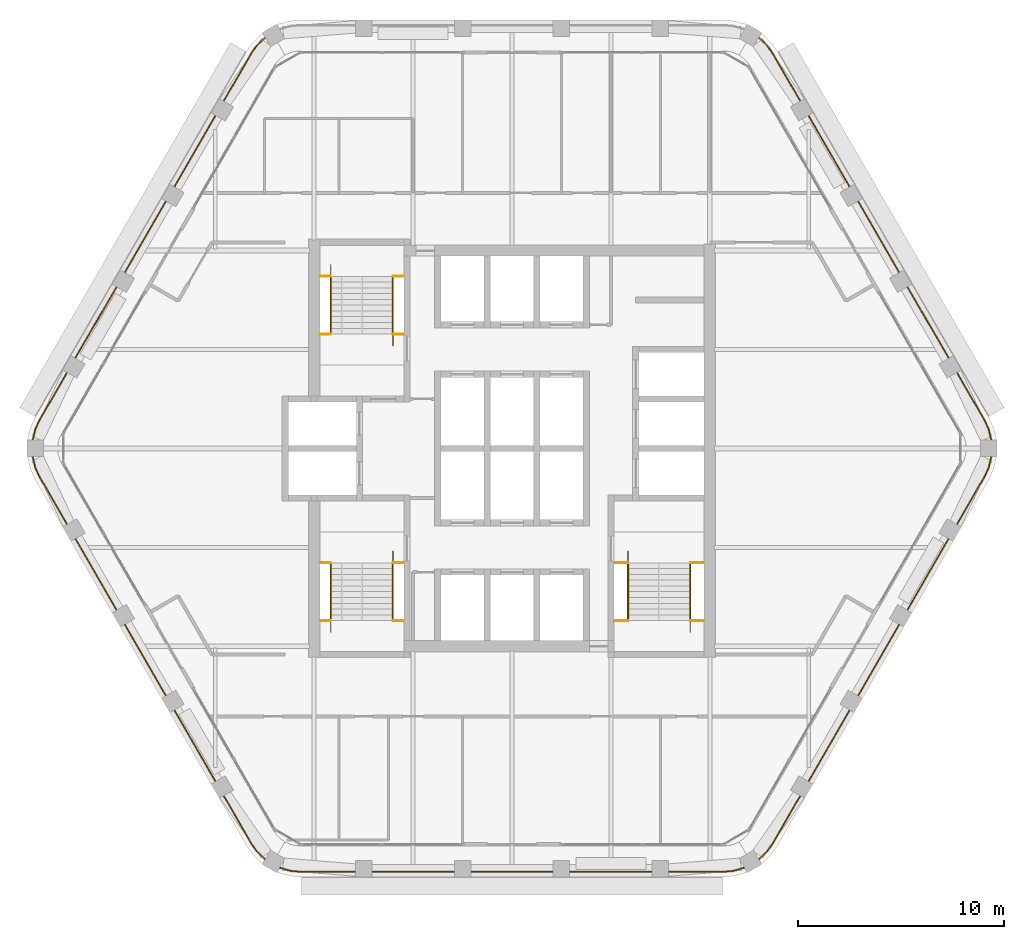
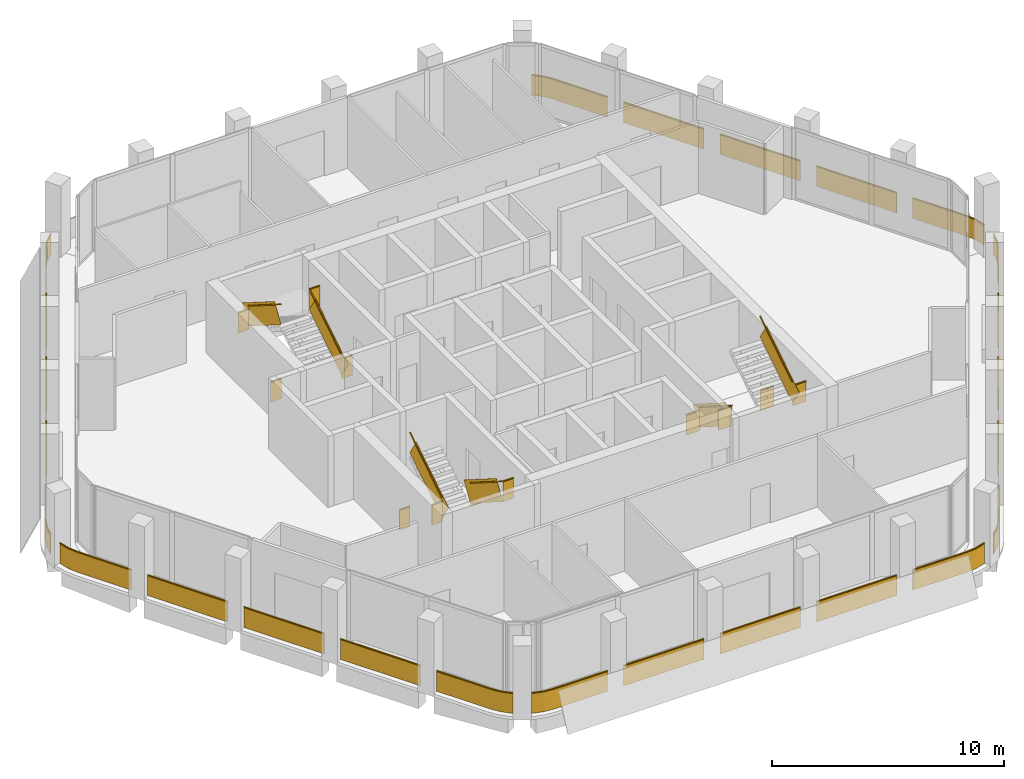
# One storey, part 12 of 13: 11 railings.
"""IFC4 building model written with IfcOpenShell, lengths in metres."""

import ifcopenshell
import ifcopenshell.guid

model = None  # the IFC model being written
_history = None  # IfcOwnerHistory: only IFC2X3 demands one
_inside = {}  # id of a spatial element -> (the spatial element, [elements in it])
_under = {}  # id of a project, library or spatial element -> (it, [spatial elements below it])
_declared = {}  # id of a project -> (the project, [libraries it declares])
_typed = {}  # id of a type object -> (the type object, [elements of that type])
_made_of = {}  # id of a material, layer set ... -> (it, [elements and type objects made of it])


def new_model(schema):
    """Start an empty IFC model of exactly this schema.

    Asked for "IFC4X3", IfcOpenShell would pick the latest addendum, in which some entities
    have other attributes; the version numbers below select the first issue.
    IFC2X3 requires an IfcOwnerHistory on every rooted entity: one is made here for all.
    """
    global model, _history
    if schema == "IFC4X3":
        model = ifcopenshell.file(schema_version=(4, 3, 0, 0))
    else:
        model = ifcopenshell.file(schema=schema)
    _inside.clear()
    _under.clear()
    _declared.clear()
    _typed.clear()
    _made_of.clear()
    _history = None
    if model.schema == "IFC2X3":
        org = make("IfcOrganization", Name="unknown")
        user = make(
            "IfcPersonAndOrganization",
            ThePerson=make("IfcPerson", FamilyName="unknown"),
            TheOrganization=org,
        )
        app = make(
            "IfcApplication",
            ApplicationDeveloper=org,
            Version="unknown",
            ApplicationFullName="unknown",
            ApplicationIdentifier="unknown",
        )
        _history = make(
            "IfcOwnerHistory",
            OwningUser=user,
            OwningApplication=app,
            ChangeAction="ADDED",
            CreationDate=0,
        )
    return model


def make(cls, **values):
    """One entity of the class cls with the attributes given. An attribute that is None is left unset."""
    return model.create_entity(
        cls, **{name: value for name, value in values.items() if value is not None}
    )


def rooted(cls, **values):
    """An entity with a GlobalId (a new one), such as an element, a storey or a relation."""
    return make(cls, GlobalId=ifcopenshell.guid.new(), OwnerHistory=_history, **values)


def si_unit(unit_type, name, prefix=None):
    """IfcSIUnit, for example si_unit("LENGTHUNIT", "METRE", prefix="MILLI")."""
    return make("IfcSIUnit", UnitType=unit_type, Prefix=prefix, Name=name)


def assignment(units):
    """IfcUnitAssignment: the units of a project."""
    return None if units is None else make("IfcUnitAssignment", Units=units)


def point(xyz):
    """IfcCartesianPoint."""
    return None if xyz is None else make("IfcCartesianPoint", Coordinates=xyz)


def direction(xyz):
    """IfcDirection."""
    return None if xyz is None else make("IfcDirection", DirectionRatios=xyz)


def frame(location, z_axis=None, x_axis=None):
    """IfcAxis2Placement3D, a coordinate frame: its origin and axes. An axis left out is left unset."""
    return make(
        "IfcAxis2Placement3D",
        Location=point(location),
        Axis=direction(z_axis),
        RefDirection=direction(x_axis),
    )


def frame_2d(location, x_axis=None):
    """IfcAxis2Placement2D, a coordinate frame in the plane: its origin and x axis."""
    return make(
        "IfcAxis2Placement2D", Location=point(location), RefDirection=direction(x_axis)
    )


def origin():
    """The frame at (0, 0, 0) with its axes left unset."""
    return frame((0.0, 0.0, 0.0))


def origin_2d():
    """The frame at (0, 0) in the plane with its x axis left unset."""
    return frame_2d((0.0, 0.0))


def place(relative_to, where):
    """IfcLocalPlacement: puts the frame where relative to a parent placement (None: the world)."""
    return make(
        "IfcLocalPlacement", PlacementRelTo=relative_to, RelativePlacement=where
    )


def context(
    kind, dimensions, precision=None, world=None, true_north=None, identifier=None
):
    """IfcGeometricRepresentationContext, for example the 3D "Model" context."""
    return make(
        "IfcGeometricRepresentationContext",
        ContextIdentifier=identifier,
        ContextType=kind,
        CoordinateSpaceDimension=dimensions,
        Precision=precision,
        WorldCoordinateSystem=world,
        TrueNorth=true_north,
    )


def subcontext(parent, identifier, kind, view, scale=None):
    """IfcGeometricRepresentationSubContext, for example "Body" below "Model"."""
    return make(
        "IfcGeometricRepresentationSubContext",
        ContextIdentifier=identifier,
        ContextType=kind,
        ParentContext=parent,
        TargetScale=scale,
        TargetView=view,
    )


def project(units=None, contexts=None):
    """IfcProject with its units and contexts."""
    return rooted(
        "IfcProject",
        Name="project",
        RepresentationContexts=contexts,
        UnitsInContext=assignment(units),
    )


def spatial(cls, under=None, at=None, **own):
    """A site, building, storey or space (cls), placed at a placement, below another one or the project."""
    s = rooted(cls, ObjectPlacement=at, **own)
    if under is not None:
        _under.setdefault(under.id(), (under, []))[1].append(s)
    return s


def profile(cls, at=None, kind="AREA", **sizes):
    """A parametric profile (cls). Its sizes go by their IFC names, for example OverallWidth=200.0."""
    return make(cls, ProfileType=kind, Position=at, **sizes)


def rectangle(**sizes):
    """IfcRectangleProfileDef."""
    return profile("IfcRectangleProfileDef", **sizes)


def extrude(swept, where, along, depth):
    """IfcExtrudedAreaSolid: the profile swept, set in the frame where, extruded along a direction by depth."""
    return make(
        "IfcExtrudedAreaSolid",
        SweptArea=swept,
        Position=where,
        ExtrudedDirection=direction(along),
        Depth=depth,
    )


def shape(context_of_items, identifier, shape_type, items):
    """IfcShapeRepresentation: the items that make up one representation, for example the "Body"."""
    return make(
        "IfcShapeRepresentation",
        ContextOfItems=context_of_items,
        RepresentationIdentifier=identifier,
        RepresentationType=shape_type,
        Items=items,
    )


def material(Name=None, Category=None):
    """IfcMaterial."""
    return make("IfcMaterial", Name=Name, Category=Category)


def made_of(thing, what):
    """Note that an element or type object is made of a material, layer set ...; save() writes the relation."""
    if what is not None:
        _made_of.setdefault(what.id(), (what, []))[1].append(thing)
    return thing


def type_object(cls, material=None, **own):
    """A type object (cls), such as IfcWallType, which elements share."""
    return made_of(rooted(cls, **own), material)


def element(
    cls,
    number,
    at=None,
    inside=None,
    cuts=None,
    type_object=None,
    material=None,
    context=None,
    identifier="Body",
    shape_type=None,
    held_by="IfcProductDefinitionShape",
    body=None,
    shapes=None,
    **own,
):
    """One element of the class cls, such as IfcWall. Its Tag is "e" and its number.

    at: its placement. inside: the storey or other place that contains it. cuts: it is an
    opening in that element (IfcRelVoidsElement). A single representation is given by context,
    identifier, shape_type and body (its items); several are given by shapes. held_by: the class
    of the entity that holds the representations. save() writes the other relations.
    """
    e = rooted(cls, Tag="e%d" % number, ObjectPlacement=at, **own)
    if body is not None:
        shapes = [shape(context, identifier, shape_type, body)]
    if shapes is not None:
        e.Representation = make(held_by, Representations=shapes)
    if inside is not None:
        _inside.setdefault(inside.id(), (inside, []))[1].append(e)
    if cuts is not None:
        rooted(
            "IfcRelVoidsElement", RelatingBuildingElement=cuts, RelatedOpeningElement=e
        )
    if type_object is not None:
        _typed.setdefault(type_object.id(), (type_object, []))[1].append(e)
    return made_of(e, material)


def aggregate(whole, parts):
    """IfcRelAggregates: a whole, such as a stair, and the parts it consists of."""
    return rooted("IfcRelAggregates", RelatingObject=whole, RelatedObjects=parts)


def save(model, path):
    """Write the relations noted so far, then the file.

    IfcRelAggregates (storeys below a building ...), IfcRelContainedInSpatialStructure (elements
    in a storey), IfcRelDefinesByType, IfcRelAssociatesMaterial and IfcRelDeclares: one each for
    every whole, place, type object, material and project.
    """
    for whole, parts in _under.values():
        aggregate(whole, parts)
    for where, things in _inside.values():
        rooted(
            "IfcRelContainedInSpatialStructure",
            RelatedElements=things,
            RelatingStructure=where,
        )
    for kind, things in _typed.values():
        rooted("IfcRelDefinesByType", RelatedObjects=things, RelatingType=kind)
    for what, things in _made_of.values():
        rooted("IfcRelAssociatesMaterial", RelatedObjects=things, RelatingMaterial=what)
    for by, libraries in _declared.values():
        rooted("IfcRelDeclares", RelatingContext=by, RelatedDefinitions=libraries)
    model.write(path)


model = new_model("IFC4")

# Units and contexts
model_context = context("Model", 3, precision=1e-05, world=origin(), true_north=direction((0.0, 1.0)))
body_context = subcontext(model_context, "Body", "Model", "MODEL_VIEW")
ifc_project = project(units=[si_unit("LENGTHUNIT", "METRE"), si_unit("AREAUNIT", "SQUARE_METRE"), si_unit("VOLUMEUNIT", "CUBIC_METRE"), si_unit("PLANEANGLEUNIT", "RADIAN"), si_unit("MASSUNIT", "GRAM", prefix="KILO")], contexts=[model_context])

# Site, building, storey
site_placement = place(None, origin())
site = spatial("IfcSite", under=ifc_project, at=site_placement, CompositionType="ELEMENT")
building_placement = place(site_placement, origin())
building = spatial("IfcBuilding", under=site, at=building_placement, Name="Kolab Exchange Tower", CompositionType="ELEMENT")
storey_placement = place(building_placement, frame((0.0, 0.0, 226.699951171875)))
storey = spatial("IfcBuildingStorey", under=building, at=storey_placement, Name="L49", CompositionType="ELEMENT", Elevation=226.699951171875)

# Railings
ifc_material_1 = material(Name="Stainless steel 316", Category="steel")
railing_type_1 = type_object("IfcRailingType", Name="GUARD 1100", PredefinedType="GUARDRAIL", material=ifc_material_1)
railing_1_placement = place(storey_placement, frame((-9.324951171875, 5.550048828125, 0.0)))
element("IfcRailing", 1, at=railing_1_placement, inside=storey, type_object=railing_type_1, Name="Guard ST1", PredefinedType="GUARDRAIL", context=body_context, shape_type="SweptSolid", body=[
    extrude(rectangle(XDim=0.05, YDim=0.05, at=origin_2d()), frame((0.0, 0.0, 1.0751953125), z_axis=(1.0, 0.0, 0.0), x_axis=(0.0, 1.0, 0.0)), (0.0, 0.0, 1.0), 0.52734375),
    extrude(rectangle(XDim=0.012, YDim=1.05009765625, at=frame_2d((0.0, 0.525146484375))), frame((0.0, 0.0, 0.0), z_axis=(1.0, 0.0, 0.0), x_axis=(0.0, 1.0, 0.0)), (0.0, 0.0, 1.0), 0.52734375),
    extrude(rectangle(XDim=0.05, YDim=0.05, at=origin_2d()), frame((3.54736328125, 0.0, 1.0751953125), z_axis=(1.0, 0.0, 0.0), x_axis=(0.0, 1.0, 0.0)), (0.0, 0.0, 1.0), 0.527587890625),
    extrude(rectangle(XDim=0.012, YDim=1.05009765625, at=frame_2d((0.0, 0.525146484375))), frame((3.54736328125, 0.0, 0.0), z_axis=(1.0, 0.0, 0.0), x_axis=(0.0, 1.0, 0.0)), (0.0, 0.0, 1.0), 0.527587890625),
    extrude(rectangle(XDim=0.05, YDim=0.05, at=origin_2d()), frame((0.0, 2.800048828125, 3.025146484375), z_axis=(1.0, 0.0, 0.0), x_axis=(0.0, 1.0, 0.0)), (0.0, 0.0, 1.0), 0.52734375),
    extrude(rectangle(XDim=0.012, YDim=1.05009765625, at=frame_2d((0.0, 0.525146484375))), frame((0.0, 2.800048828125, 1.949951171875), z_axis=(1.0, 0.0, 0.0), x_axis=(0.0, 1.0, 0.0)), (0.0, 0.0, 1.0), 0.52734375),
    extrude(rectangle(XDim=0.05, YDim=0.05, at=origin_2d()), frame((3.54736328125, 2.800048828125, 3.025146484375), z_axis=(1.0, 0.0, 0.0), x_axis=(0.0, 1.0, 0.0)), (0.0, 0.0, 1.0), 0.527587890625),
    extrude(rectangle(XDim=0.012, YDim=1.05009765625, at=frame_2d((0.0, 0.525146484375))), frame((3.54736328125, 2.800048828125, 1.949951171875), z_axis=(1.0, 0.0, 0.0), x_axis=(0.0, 1.0, 0.0)), (0.0, 0.0, 1.0), 0.527587890625),
])
railing_2_placement = place(storey_placement, frame((-5.777587890625, 5.550048828125, 0.17724609375)))
element("IfcRailing", 2, at=railing_2_placement, inside=storey, type_object=railing_type_1, Name="Handrail guard ST1", PredefinedType="GUARDRAIL", context=body_context, shape_type="SweptSolid", body=[
    extrude(rectangle(XDim=0.05, YDim=0.05, at=origin_2d()), frame((0.0, 0.0, 1.0751953125), z_axis=(0.0, 0.844908973607, 0.534910110503), x_axis=(-1.0, 0.0, 0.0)), (0.0, 0.0, 1.0), 3.31396484375),
    extrude(rectangle(XDim=0.012, YDim=1.05009765625, at=frame_2d((0.0, 0.525146484375))), frame((0.0, 0.0, 0.0), z_axis=(0.0, 0.844908973607, 0.534910110503), x_axis=(-1.0, 0.0, 0.0)), (0.0, 0.0, 1.0), 3.31396484375),
    extrude(rectangle(XDim=0.05, YDim=0.05, at=origin_2d()), frame((-3.02001953125, 2.800048828125, 3.025390625), z_axis=(0.0, -0.844908973607, 0.534910110503), x_axis=(1.0, 0.0, 0.0)), (0.0, 0.0, 1.0), 3.31396484375),
    extrude(rectangle(XDim=0.012, YDim=1.05009765625, at=frame_2d((0.0, 0.525146484375))), frame((-3.02001953125, 2.800048828125, 1.9501953125), z_axis=(0.0, -0.844908973607, 0.534910110503), x_axis=(1.0, 0.0, 0.0)), (0.0, 0.0, 1.0), 3.31396484375),
])
railing_3_placement = place(storey_placement, frame((-9.324951171875, -5.550048828125, 0.0)))
element("IfcRailing", 3, at=railing_3_placement, inside=storey, type_object=railing_type_1, Name="Guard ST3", PredefinedType="GUARDRAIL", context=body_context, shape_type="SweptSolid", body=[
    extrude(rectangle(XDim=0.05, YDim=0.05, at=origin_2d()), frame((0.0, 0.0, 1.0751953125), z_axis=(1.0, 0.0, 0.0), x_axis=(0.0, 1.0, 0.0)), (0.0, 0.0, 1.0), 0.52734375),
    extrude(rectangle(XDim=0.012, YDim=1.05009765625, at=frame_2d((0.0, 0.525146484375))), frame((0.0, 0.0, 0.0), z_axis=(1.0, 0.0, 0.0), x_axis=(0.0, 1.0, 0.0)), (0.0, 0.0, 1.0), 0.52734375),
    extrude(rectangle(XDim=0.05, YDim=0.05, at=origin_2d()), frame((3.54736328125, 0.0, 1.0751953125), z_axis=(1.0, 0.0, 0.0), x_axis=(0.0, 1.0, 0.0)), (0.0, 0.0, 1.0), 0.527587890625),
    extrude(rectangle(XDim=0.012, YDim=1.05009765625, at=frame_2d((0.0, 0.525146484375))), frame((3.54736328125, 0.0, 0.0), z_axis=(1.0, 0.0, 0.0), x_axis=(0.0, 1.0, 0.0)), (0.0, 0.0, 1.0), 0.527587890625),
    extrude(rectangle(XDim=0.05, YDim=0.05, at=origin_2d()), frame((0.0, -2.800048828125, 3.025146484375), z_axis=(1.0, 0.0, 0.0), x_axis=(0.0, 1.0, 0.0)), (0.0, 0.0, 1.0), 0.52734375),
    extrude(rectangle(XDim=0.012, YDim=1.05009765625, at=frame_2d((0.0, 0.525146484375))), frame((0.0, -2.800048828125, 1.949951171875), z_axis=(1.0, 0.0, 0.0), x_axis=(0.0, 1.0, 0.0)), (0.0, 0.0, 1.0), 0.52734375),
    extrude(rectangle(XDim=0.05, YDim=0.05, at=origin_2d()), frame((3.54736328125, -2.800048828125, 3.025146484375), z_axis=(1.0, 0.0, 0.0), x_axis=(0.0, 1.0, 0.0)), (0.0, 0.0, 1.0), 0.527587890625),
    extrude(rectangle(XDim=0.012, YDim=1.05009765625, at=frame_2d((0.0, 0.525146484375))), frame((3.54736328125, -2.800048828125, 1.949951171875), z_axis=(1.0, 0.0, 0.0), x_axis=(0.0, 1.0, 0.0)), (0.0, 0.0, 1.0), 0.527587890625),
])
railing_4_placement = place(storey_placement, frame((-5.777587890625, -5.550048828125, 0.17724609375)))
element("IfcRailing", 4, at=railing_4_placement, inside=storey, type_object=railing_type_1, Name="Handrail guard ST3", PredefinedType="GUARDRAIL", context=body_context, shape_type="SweptSolid", body=[
    extrude(rectangle(XDim=0.05, YDim=0.05, at=origin_2d()), frame((0.0, 0.0, 1.0751953125), z_axis=(0.0, -0.844908973607, 0.534910110503), x_axis=(1.0, 0.0, 0.0)), (0.0, 0.0, 1.0), 3.31396484375),
    extrude(rectangle(XDim=0.012, YDim=1.05009765625, at=frame_2d((0.0, 0.525146484375))), frame((0.0, 0.0, 0.0), z_axis=(0.0, -0.844908973607, 0.534910110503), x_axis=(1.0, 0.0, 0.0)), (0.0, 0.0, 1.0), 3.31396484375),
    extrude(rectangle(XDim=0.05, YDim=0.05, at=origin_2d()), frame((-3.02001953125, -2.800048828125, 3.025390625), z_axis=(0.0, 0.844908973607, 0.534910110503), x_axis=(-1.0, 0.0, 0.0)), (0.0, 0.0, 1.0), 3.31396484375),
    extrude(rectangle(XDim=0.012, YDim=1.05009765625, at=frame_2d((0.0, 0.525146484375))), frame((-3.02001953125, -2.800048828125, 1.9501953125), z_axis=(0.0, 0.844908973607, 0.534910110503), x_axis=(-1.0, 0.0, 0.0)), (0.0, 0.0, 1.0), 3.31396484375),
])
railing_5_placement = place(storey_placement, frame((4.949951171875, -5.550048828125, 0.0)))
element("IfcRailing", 5, at=railing_5_placement, inside=storey, type_object=railing_type_1, Name="Guard ST2", PredefinedType="GUARDRAIL", context=body_context, shape_type="SweptSolid", body=[
    extrude(rectangle(XDim=0.05, YDim=0.05, at=origin_2d()), frame((0.0, 0.0, 1.0751953125), z_axis=(1.0, 0.0, 0.0), x_axis=(0.0, 1.0, 0.0)), (0.0, 0.0, 1.0), 0.677490234375),
    extrude(rectangle(XDim=0.012, YDim=1.05009765625, at=frame_2d((0.0, 0.525146484375))), frame((0.0, 0.0, 0.0), z_axis=(1.0, 0.0, 0.0), x_axis=(0.0, 1.0, 0.0)), (0.0, 0.0, 1.0), 0.677490234375),
    extrude(rectangle(XDim=0.05, YDim=0.05, at=origin_2d()), frame((3.697509765625, 0.0, 1.0751953125), z_axis=(1.0, 0.0, 0.0), x_axis=(0.0, 1.0, 0.0)), (0.0, 0.0, 1.0), 0.677490234375),
    extrude(rectangle(XDim=0.012, YDim=1.05009765625, at=frame_2d((0.0, 0.525146484375))), frame((3.697509765625, 0.0, 0.0), z_axis=(1.0, 0.0, 0.0), x_axis=(0.0, 1.0, 0.0)), (0.0, 0.0, 1.0), 0.677490234375),
    extrude(rectangle(XDim=0.05, YDim=0.05, at=origin_2d()), frame((0.0, -2.800048828125, 3.025146484375), z_axis=(1.0, 0.0, 0.0), x_axis=(0.0, 1.0, 0.0)), (0.0, 0.0, 1.0), 0.677490234375),
    extrude(rectangle(XDim=0.012, YDim=1.05009765625, at=frame_2d((0.0, 0.525146484375))), frame((0.0, -2.800048828125, 1.949951171875), z_axis=(1.0, 0.0, 0.0), x_axis=(0.0, 1.0, 0.0)), (0.0, 0.0, 1.0), 0.677490234375),
    extrude(rectangle(XDim=0.05, YDim=0.05, at=origin_2d()), frame((3.697509765625, -2.800048828125, 3.025146484375), z_axis=(1.0, 0.0, 0.0), x_axis=(0.0, 1.0, 0.0)), (0.0, 0.0, 1.0), 0.677490234375),
    extrude(rectangle(XDim=0.012, YDim=1.05009765625, at=frame_2d((0.0, 0.525146484375))), frame((3.697509765625, -2.800048828125, 1.949951171875), z_axis=(1.0, 0.0, 0.0), x_axis=(0.0, 1.0, 0.0)), (0.0, 0.0, 1.0), 0.677490234375),
])
railing_6_placement = place(storey_placement, frame((5.62744140625, -5.550048828125, 0.17724609375)))
element("IfcRailing", 6, at=railing_6_placement, inside=storey, type_object=railing_type_1, Name="Handrail guard ST2", PredefinedType="GUARDRAIL", context=body_context, shape_type="SweptSolid", body=[
    extrude(rectangle(XDim=0.05, YDim=0.05, at=origin_2d()), frame((0.0, 0.0, 1.0751953125), z_axis=(0.0, -0.844908973607, 0.534910110503), x_axis=(1.0, 0.0, 0.0)), (0.0, 0.0, 1.0), 3.31396484375),
    extrude(rectangle(XDim=0.012, YDim=1.05009765625, at=frame_2d((0.0, 0.525146484375))), frame((0.0, 0.0, 0.0), z_axis=(0.0, -0.844908973607, 0.534910110503), x_axis=(1.0, 0.0, 0.0)), (0.0, 0.0, 1.0), 3.31396484375),
    extrude(rectangle(XDim=0.05, YDim=0.05, at=origin_2d()), frame((3.02001953125, -2.800048828125, 3.025390625), z_axis=(0.0, 0.844908973607, 0.534910110503), x_axis=(-1.0, 0.0, 0.0)), (0.0, 0.0, 1.0), 3.31396484375),
    extrude(rectangle(XDim=0.012, YDim=1.05009765625, at=frame_2d((0.0, 0.525146484375))), frame((3.02001953125, -2.800048828125, 1.9501953125), z_axis=(0.0, 0.844908973607, 0.534910110503), x_axis=(-1.0, 0.0, 0.0)), (0.0, 0.0, 1.0), 3.31396484375),
])
ifc_material_2 = material(Name="Steel S235", Category="steel")
railing_type_2 = type_object("IfcRailingType", Name="GUARD 1100 GLASS BALUSTRADE AND STEEL TOP RAIL", PredefinedType="GUARDRAIL", material=ifc_material_2)
railing_7_placement = place(storey_placement, frame((23.2509765625, 0.3984375, 0.0)))
element("IfcRailing", 7, at=railing_7_placement, inside=storey, type_object=railing_type_2, Name="Guard", PredefinedType="GUARDRAIL", context=body_context, shape_type="SweptSolid", body=[
    extrude(rectangle(XDim=0.05, YDim=0.05, at=origin_2d()), frame((0.0, 0.0, 1.0751953125), z_axis=(-0.234597748196, 0.972092534968, 0.0), x_axis=(-0.972092534968, -0.234597748196, 0.0)), (0.0, 0.0, 1.0), 0.557861328125),
    extrude(rectangle(XDim=0.012, YDim=1.05009765625, at=frame_2d((0.0, 0.525146484375))), frame((0.0, 0.0, 0.0), z_axis=(-0.234597748196, 0.972092534968, 0.0), x_axis=(-0.972092534968, -0.234597748196, 0.0)), (0.0, 0.0, 1.0), 0.557861328125),
    extrude(rectangle(XDim=0.05, YDim=0.05, at=origin_2d()), frame((-0.130859375, 0.542236328125, 1.0751953125), z_axis=(-0.422801802984, 0.906222177721, 0.0), x_axis=(-0.906222177721, -0.422801802984, 0.0)), (0.0, 0.0, 1.0), 0.479248046875),
    extrude(rectangle(XDim=0.012, YDim=1.05009765625, at=frame_2d((0.0, 0.525146484375))), frame((-0.130859375, 0.542236328125, 0.0), z_axis=(-0.422801802984, 0.906222177721, 0.0), x_axis=(-0.906222177721, -0.422801802984, 0.0)), (0.0, 0.0, 1.0), 0.479248046875),
    extrude(rectangle(XDim=0.05, YDim=0.05, at=origin_2d()), frame((-0.33349609375, 0.9765625, 1.0751953125), z_axis=(-0.499997052475, 0.866027105532, 0.0), x_axis=(-0.866027105532, -0.499997052475, 0.0)), (0.0, 0.0, 1.0), 2.66796875),
    extrude(rectangle(XDim=0.012, YDim=1.05009765625, at=frame_2d((0.0, 0.525146484375))), frame((-0.33349609375, 0.9765625, 0.0), z_axis=(-0.499997052475, 0.866027105532, 0.0), x_axis=(-0.866027105532, -0.499997052475, 0.0)), (0.0, 0.0, 1.0), 2.66796875),
    extrude(rectangle(XDim=0.05, YDim=0.05, at=origin_2d()), frame((-2.0673828125, 3.97998046875, 1.0751953125), z_axis=(-0.49999894854, 0.866026010844, 0.0), x_axis=(-0.866026010844, -0.49999894854, 0.0)), (0.0, 0.0, 1.0), 4.0),
    extrude(rectangle(XDim=0.012, YDim=1.05009765625, at=frame_2d((0.0, 0.525146484375))), frame((-2.0673828125, 3.97998046875, 0.0), z_axis=(-0.49999894854, 0.866026010844, 0.0), x_axis=(-0.866026010844, -0.49999894854, 0.0)), (0.0, 0.0, 1.0), 4.0),
    extrude(rectangle(XDim=0.05, YDim=0.05, at=origin_2d()), frame((-4.467529296875, 8.13671875, 1.0751953125), z_axis=(-0.49999894854, 0.866026010844, 0.0), x_axis=(-0.866026010844, -0.49999894854, 0.0)), (0.0, 0.0, 1.0), 4.0),
    extrude(rectangle(XDim=0.012, YDim=1.05009765625, at=frame_2d((0.0, 0.525146484375))), frame((-4.467529296875, 8.13671875, 0.0), z_axis=(-0.49999894854, 0.866026010844, 0.0), x_axis=(-0.866026010844, -0.49999894854, 0.0)), (0.0, 0.0, 1.0), 4.0),
    extrude(rectangle(XDim=0.05, YDim=0.05, at=origin_2d()), frame((-6.867431640625, 12.293701171875, 1.0751953125), z_axis=(-0.49999894854, 0.866026010844, 0.0), x_axis=(-0.866026010844, -0.49999894854, 0.0)), (0.0, 0.0, 1.0), 4.0),
    extrude(rectangle(XDim=0.012, YDim=1.05009765625, at=frame_2d((0.0, 0.525146484375))), frame((-6.867431640625, 12.293701171875, 0.0), z_axis=(-0.49999894854, 0.866026010844, 0.0), x_axis=(-0.866026010844, -0.49999894854, 0.0)), (0.0, 0.0, 1.0), 4.0),
    extrude(rectangle(XDim=0.05, YDim=0.05, at=origin_2d()), frame((-9.267578125, 16.45068359375, 1.0751953125), z_axis=(-0.499997052475, 0.866027105532, 0.0), x_axis=(-0.866027105532, -0.499997052475, 0.0)), (0.0, 0.0, 1.0), 2.66796875),
    extrude(rectangle(XDim=0.012, YDim=1.05009765625, at=frame_2d((0.0, 0.525146484375))), frame((-9.267578125, 16.45068359375, 0.0), z_axis=(-0.499997052475, 0.866027105532, 0.0), x_axis=(-0.866027105532, -0.499997052475, 0.0)), (0.0, 0.0, 1.0), 2.66796875),
    extrude(rectangle(XDim=0.05, YDim=0.05, at=origin_2d()), frame((-10.6015625, 18.76123046875, 1.0751953125), z_axis=(-0.573599091554, 0.819136180478, 0.0), x_axis=(-0.819136180478, -0.573599091554, 0.0)), (0.0, 0.0, 1.0), 0.479248046875),
    extrude(rectangle(XDim=0.012, YDim=1.05009765625, at=frame_2d((0.0, 0.525146484375))), frame((-10.6015625, 18.76123046875, 0.0), z_axis=(-0.573599091554, 0.819136180478, 0.0), x_axis=(-0.819136180478, -0.573599091554, 0.0)), (0.0, 0.0, 1.0), 0.479248046875),
    extrude(rectangle(XDim=0.05, YDim=0.05, at=origin_2d()), frame((-10.87646484375, 19.15380859375, 1.0751953125), z_axis=(-0.724189990991, 0.689600505327, 0.0), x_axis=(-0.689600505327, -0.724189990991, 0.0)), (0.0, 0.0, 1.0), 0.5576171875),
    extrude(rectangle(XDim=0.012, YDim=1.05009765625, at=frame_2d((0.0, 0.525146484375))), frame((-10.87646484375, 19.15380859375, 0.0), z_axis=(-0.724189990991, 0.689600505327, 0.0), x_axis=(-0.689600505327, -0.724189990991, 0.0)), (0.0, 0.0, 1.0), 0.5576171875),
])
railing_8_placement = place(storey_placement, frame((11.970703125, -19.936767578125, 0.0)))
element("IfcRailing", 8, at=railing_8_placement, inside=storey, type_object=railing_type_2, Name="Guard", PredefinedType="GUARDRAIL", context=body_context, shape_type="SweptSolid", body=[
    extrude(rectangle(XDim=0.05, YDim=0.05, at=origin_2d()), frame((0.0, 0.0, 1.0751953125), z_axis=(0.724189990991, 0.689600505327, 0.0), x_axis=(-0.689600505327, 0.724189990991, 0.0)), (0.0, 0.0, 1.0), 0.5576171875),
    extrude(rectangle(XDim=0.012, YDim=1.05009765625, at=frame_2d((0.0, 0.525146484375))), frame((0.0, 0.0, 0.0), z_axis=(0.724189990991, 0.689600505327, 0.0), x_axis=(-0.689600505327, 0.724189990991, 0.0)), (0.0, 0.0, 1.0), 0.5576171875),
    extrude(rectangle(XDim=0.05, YDim=0.05, at=origin_2d()), frame((0.40380859375, 0.384521484375, 1.0751953125), z_axis=(0.573599091554, 0.819136180478, 0.0), x_axis=(-0.819136180478, 0.573599091554, 0.0)), (0.0, 0.0, 1.0), 0.479248046875),
    extrude(rectangle(XDim=0.012, YDim=1.05009765625, at=frame_2d((0.0, 0.525146484375))), frame((0.40380859375, 0.384521484375, 0.0), z_axis=(0.573599091554, 0.819136180478, 0.0), x_axis=(-0.819136180478, 0.573599091554, 0.0)), (0.0, 0.0, 1.0), 0.479248046875),
    extrude(rectangle(XDim=0.05, YDim=0.05, at=origin_2d()), frame((0.6787109375, 0.777099609375, 1.0751953125), z_axis=(0.499997052475, 0.866027105532, 0.0), x_axis=(-0.866027105532, 0.499997052475, 0.0)), (0.0, 0.0, 1.0), 2.66796875),
    extrude(rectangle(XDim=0.012, YDim=1.05009765625, at=frame_2d((0.0, 0.525146484375))), frame((0.6787109375, 0.777099609375, 0.0), z_axis=(0.499997052475, 0.866027105532, 0.0), x_axis=(-0.866027105532, 0.499997052475, 0.0)), (0.0, 0.0, 1.0), 2.66796875),
    extrude(rectangle(XDim=0.05, YDim=0.05, at=origin_2d()), frame((2.412841796875, 3.780517578125, 1.0751953125), z_axis=(0.49999894854, 0.866026010844, 0.0), x_axis=(-0.866026010844, 0.49999894854, 0.0)), (0.0, 0.0, 1.0), 4.0),
    extrude(rectangle(XDim=0.012, YDim=1.05009765625, at=frame_2d((0.0, 0.525146484375))), frame((2.412841796875, 3.780517578125, 0.0), z_axis=(0.49999894854, 0.866026010844, 0.0), x_axis=(-0.866026010844, 0.49999894854, 0.0)), (0.0, 0.0, 1.0), 4.0),
    extrude(rectangle(XDim=0.05, YDim=0.05, at=origin_2d()), frame((4.812744140625, 7.9375, 1.0751953125), z_axis=(0.49999894854, 0.866026010844, 0.0), x_axis=(-0.866026010844, 0.49999894854, 0.0)), (0.0, 0.0, 1.0), 4.0),
    extrude(rectangle(XDim=0.012, YDim=1.05009765625, at=frame_2d((0.0, 0.525146484375))), frame((4.812744140625, 7.9375, 0.0), z_axis=(0.49999894854, 0.866026010844, 0.0), x_axis=(-0.866026010844, 0.49999894854, 0.0)), (0.0, 0.0, 1.0), 4.0),
    extrude(rectangle(XDim=0.05, YDim=0.05, at=origin_2d()), frame((7.212890625, 12.09423828125, 1.0751953125), z_axis=(0.49999894854, 0.866026010844, 0.0), x_axis=(-0.866026010844, 0.49999894854, 0.0)), (0.0, 0.0, 1.0), 4.0),
    extrude(rectangle(XDim=0.012, YDim=1.05009765625, at=frame_2d((0.0, 0.525146484375))), frame((7.212890625, 12.09423828125, 0.0), z_axis=(0.49999894854, 0.866026010844, 0.0), x_axis=(-0.866026010844, 0.49999894854, 0.0)), (0.0, 0.0, 1.0), 4.0),
    extrude(rectangle(XDim=0.05, YDim=0.05, at=origin_2d()), frame((9.61279296875, 16.251220703125, 1.0751953125), z_axis=(0.499997052475, 0.866027105532, 0.0), x_axis=(-0.866027105532, 0.499997052475, 0.0)), (0.0, 0.0, 1.0), 2.66796875),
    extrude(rectangle(XDim=0.012, YDim=1.05009765625, at=frame_2d((0.0, 0.525146484375))), frame((9.61279296875, 16.251220703125, 0.0), z_axis=(0.499997052475, 0.866027105532, 0.0), x_axis=(-0.866027105532, 0.499997052475, 0.0)), (0.0, 0.0, 1.0), 2.66796875),
    extrude(rectangle(XDim=0.05, YDim=0.05, at=origin_2d()), frame((10.94677734375, 18.561767578125, 1.0751953125), z_axis=(0.422801802984, 0.906222177721, 0.0), x_axis=(-0.906222177721, 0.422801802984, 0.0)), (0.0, 0.0, 1.0), 0.479248046875),
    extrude(rectangle(XDim=0.012, YDim=1.05009765625, at=frame_2d((0.0, 0.525146484375))), frame((10.94677734375, 18.561767578125, 0.0), z_axis=(0.422801802984, 0.906222177721, 0.0), x_axis=(-0.906222177721, 0.422801802984, 0.0)), (0.0, 0.0, 1.0), 0.479248046875),
    extrude(rectangle(XDim=0.05, YDim=0.05, at=origin_2d()), frame((11.1494140625, 18.99609375, 1.0751953125), z_axis=(0.234597748196, 0.972092534968, 0.0), x_axis=(-0.972092534968, 0.234597748196, 0.0)), (0.0, 0.0, 1.0), 0.557861328125),
    extrude(rectangle(XDim=0.012, YDim=1.05009765625, at=frame_2d((0.0, 0.525146484375))), frame((11.1494140625, 18.99609375, 0.0), z_axis=(0.234597748196, 0.972092534968, 0.0), x_axis=(-0.972092534968, 0.234597748196, 0.0)), (0.0, 0.0, 1.0), 0.557861328125),
])
railing_9_placement = place(storey_placement, frame((-11.280517578125, -20.335205078125, 0.0)))
element("IfcRailing", 9, at=railing_9_placement, inside=storey, type_object=railing_type_2, Name="Guard", PredefinedType="GUARDRAIL", context=body_context, shape_type="SweptSolid", body=[
    extrude(rectangle(XDim=0.05, YDim=0.05, at=origin_2d()), frame((0.0, 0.0, 1.0751953125), z_axis=(0.959212061764, -0.282687496304, 0.0), x_axis=(0.282687496304, 0.959212061764, 0.0)), (0.0, 0.0, 1.0), 0.557861328125),
    extrude(rectangle(XDim=0.012, YDim=1.05009765625, at=frame_2d((0.0, 0.525146484375))), frame((0.0, 0.0, 0.0), z_axis=(0.959212061764, -0.282687496304, 0.0), x_axis=(0.282687496304, 0.959212061764, 0.0)), (0.0, 0.0, 1.0), 0.557861328125),
    extrude(rectangle(XDim=0.05, YDim=0.05, at=origin_2d()), frame((0.53515625, -0.15771484375, 1.0751953125), z_axis=(0.996196482496, -0.087135344505, 0.0), x_axis=(0.087135344505, 0.996196482496, 0.0)), (0.0, 0.0, 1.0), 0.47900390625),
    extrude(rectangle(XDim=0.012, YDim=1.05009765625, at=frame_2d((0.0, 0.525146484375))), frame((0.53515625, -0.15771484375, 0.0), z_axis=(0.996196482496, -0.087135344505, 0.0), x_axis=(0.087135344505, 0.996196482496, 0.0)), (0.0, 0.0, 1.0), 0.47900390625),
    extrude(rectangle(XDim=0.05, YDim=0.05, at=origin_2d()), frame((1.012451171875, -0.199462890625, 1.0751953125), z_axis=(1.0, 0.0, 0.0), x_axis=(0.0, 1.0, 0.0)), (0.0, 0.0, 1.0), 2.66796875),
    extrude(rectangle(XDim=0.012, YDim=1.05009765625, at=frame_2d((0.0, 0.525146484375))), frame((1.012451171875, -0.199462890625, 0.0), z_axis=(1.0, 0.0, 0.0), x_axis=(0.0, 1.0, 0.0)), (0.0, 0.0, 1.0), 2.66796875),
    extrude(rectangle(XDim=0.05, YDim=0.05, at=origin_2d()), frame((4.48046875, -0.199462890625, 1.0751953125), z_axis=(1.0, 0.0, 0.0), x_axis=(0.0, 1.0, 0.0)), (0.0, 0.0, 1.0), 4.0),
    extrude(rectangle(XDim=0.012, YDim=1.05009765625, at=frame_2d((0.0, 0.525146484375))), frame((4.48046875, -0.199462890625, 0.0), z_axis=(1.0, 0.0, 0.0), x_axis=(0.0, 1.0, 0.0)), (0.0, 0.0, 1.0), 4.0),
    extrude(rectangle(XDim=0.05, YDim=0.05, at=origin_2d()), frame((9.280517578125, -0.199462890625, 1.0751953125), z_axis=(1.0, 0.0, 0.0), x_axis=(0.0, 1.0, 0.0)), (0.0, 0.0, 1.0), 4.0),
    extrude(rectangle(XDim=0.012, YDim=1.05009765625, at=frame_2d((0.0, 0.525146484375))), frame((9.280517578125, -0.199462890625, 0.0), z_axis=(1.0, 0.0, 0.0), x_axis=(0.0, 1.0, 0.0)), (0.0, 0.0, 1.0), 4.0),
    extrude(rectangle(XDim=0.05, YDim=0.05, at=origin_2d()), frame((14.08056640625, -0.199462890625, 1.0751953125), z_axis=(1.0, 0.0, 0.0), x_axis=(0.0, 1.0, 0.0)), (0.0, 0.0, 1.0), 4.0),
    extrude(rectangle(XDim=0.012, YDim=1.05009765625, at=frame_2d((0.0, 0.525146484375))), frame((14.08056640625, -0.199462890625, 0.0), z_axis=(1.0, 0.0, 0.0), x_axis=(0.0, 1.0, 0.0)), (0.0, 0.0, 1.0), 4.0),
    extrude(rectangle(XDim=0.05, YDim=0.05, at=origin_2d()), frame((18.880615234375, -0.199462890625, 1.0751953125), z_axis=(1.0, 0.0, 0.0), x_axis=(0.0, 1.0, 0.0)), (0.0, 0.0, 1.0), 2.66796875),
    extrude(rectangle(XDim=0.012, YDim=1.05009765625, at=frame_2d((0.0, 0.525146484375))), frame((18.880615234375, -0.199462890625, 0.0), z_axis=(1.0, 0.0, 0.0), x_axis=(0.0, 1.0, 0.0)), (0.0, 0.0, 1.0), 2.66796875),
    extrude(rectangle(XDim=0.05, YDim=0.05, at=origin_2d()), frame((21.548583984375, -0.199462890625, 1.0751953125), z_axis=(0.996196482496, 0.087135344505, 0.0), x_axis=(-0.087135344505, 0.996196482496, 0.0)), (0.0, 0.0, 1.0), 0.47900390625),
    extrude(rectangle(XDim=0.012, YDim=1.05009765625, at=frame_2d((0.0, 0.525146484375))), frame((21.548583984375, -0.199462890625, 0.0), z_axis=(0.996196482496, 0.087135344505, 0.0), x_axis=(-0.087135344505, 0.996196482496, 0.0)), (0.0, 0.0, 1.0), 0.47900390625),
    extrude(rectangle(XDim=0.05, YDim=0.05, at=origin_2d()), frame((22.02587890625, -0.15771484375, 1.0751953125), z_axis=(0.959212061764, 0.282687496304, 0.0), x_axis=(-0.282687496304, 0.959212061764, 0.0)), (0.0, 0.0, 1.0), 0.557861328125),
    extrude(rectangle(XDim=0.012, YDim=1.05009765625, at=frame_2d((0.0, 0.525146484375))), frame((22.02587890625, -0.15771484375, 0.0), z_axis=(0.959212061764, 0.282687496304, 0.0), x_axis=(-0.282687496304, 0.959212061764, 0.0)), (0.0, 0.0, 1.0), 0.557861328125),
])
railing_10_placement = place(storey_placement, frame((-23.2509765625, -0.3984375, 0.0)))
element("IfcRailing", 10, at=railing_10_placement, inside=storey, type_object=railing_type_2, Name="Guard", PredefinedType="GUARDRAIL", context=body_context, shape_type="SweptSolid", body=[
    extrude(rectangle(XDim=0.05, YDim=0.05, at=origin_2d()), frame((0.0, 0.0, 1.0751953125), z_axis=(0.234597748196, -0.972092534968, 0.0), x_axis=(0.972092534968, 0.234597748196, 0.0)), (0.0, 0.0, 1.0), 0.557861328125),
    extrude(rectangle(XDim=0.012, YDim=1.05009765625, at=frame_2d((0.0, 0.525146484375))), frame((0.0, 0.0, 0.0), z_axis=(0.234597748196, -0.972092534968, 0.0), x_axis=(0.972092534968, 0.234597748196, 0.0)), (0.0, 0.0, 1.0), 0.557861328125),
    extrude(rectangle(XDim=0.05, YDim=0.05, at=origin_2d()), frame((0.130859375, -0.542236328125, 1.0751953125), z_axis=(0.422801802984, -0.906222177721, 0.0), x_axis=(0.906222177721, 0.422801802984, 0.0)), (0.0, 0.0, 1.0), 0.479248046875),
    extrude(rectangle(XDim=0.012, YDim=1.05009765625, at=frame_2d((0.0, 0.525146484375))), frame((0.130859375, -0.542236328125, 0.0), z_axis=(0.422801802984, -0.906222177721, 0.0), x_axis=(0.906222177721, 0.422801802984, 0.0)), (0.0, 0.0, 1.0), 0.479248046875),
    extrude(rectangle(XDim=0.05, YDim=0.05, at=origin_2d()), frame((0.33349609375, -0.9765625, 1.0751953125), z_axis=(0.499997052475, -0.866027105532, 0.0), x_axis=(0.866027105532, 0.499997052475, 0.0)), (0.0, 0.0, 1.0), 2.66796875),
    extrude(rectangle(XDim=0.012, YDim=1.05009765625, at=frame_2d((0.0, 0.525146484375))), frame((0.33349609375, -0.9765625, 0.0), z_axis=(0.499997052475, -0.866027105532, 0.0), x_axis=(0.866027105532, 0.499997052475, 0.0)), (0.0, 0.0, 1.0), 2.66796875),
    extrude(rectangle(XDim=0.05, YDim=0.05, at=origin_2d()), frame((2.0673828125, -3.97998046875, 1.0751953125), z_axis=(0.49999894854, -0.866026010844, 0.0), x_axis=(0.866026010844, 0.49999894854, 0.0)), (0.0, 0.0, 1.0), 4.0),
    extrude(rectangle(XDim=0.012, YDim=1.05009765625, at=frame_2d((0.0, 0.525146484375))), frame((2.0673828125, -3.97998046875, 0.0), z_axis=(0.49999894854, -0.866026010844, 0.0), x_axis=(0.866026010844, 0.49999894854, 0.0)), (0.0, 0.0, 1.0), 4.0),
    extrude(rectangle(XDim=0.05, YDim=0.05, at=origin_2d()), frame((4.467529296875, -8.13671875, 1.0751953125), z_axis=(0.49999894854, -0.866026010844, 0.0), x_axis=(0.866026010844, 0.49999894854, 0.0)), (0.0, 0.0, 1.0), 4.0),
    extrude(rectangle(XDim=0.012, YDim=1.05009765625, at=frame_2d((0.0, 0.525146484375))), frame((4.467529296875, -8.13671875, 0.0), z_axis=(0.49999894854, -0.866026010844, 0.0), x_axis=(0.866026010844, 0.49999894854, 0.0)), (0.0, 0.0, 1.0), 4.0),
    extrude(rectangle(XDim=0.05, YDim=0.05, at=origin_2d()), frame((6.867431640625, -12.293701171875, 1.0751953125), z_axis=(0.49999894854, -0.866026010844, 0.0), x_axis=(0.866026010844, 0.49999894854, 0.0)), (0.0, 0.0, 1.0), 4.0),
    extrude(rectangle(XDim=0.012, YDim=1.05009765625, at=frame_2d((0.0, 0.525146484375))), frame((6.867431640625, -12.293701171875, 0.0), z_axis=(0.49999894854, -0.866026010844, 0.0), x_axis=(0.866026010844, 0.49999894854, 0.0)), (0.0, 0.0, 1.0), 4.0),
    extrude(rectangle(XDim=0.05, YDim=0.05, at=origin_2d()), frame((9.267578125, -16.45068359375, 1.0751953125), z_axis=(0.499997052475, -0.866027105532, 0.0), x_axis=(0.866027105532, 0.499997052475, 0.0)), (0.0, 0.0, 1.0), 2.66796875),
    extrude(rectangle(XDim=0.012, YDim=1.05009765625, at=frame_2d((0.0, 0.525146484375))), frame((9.267578125, -16.45068359375, 0.0), z_axis=(0.499997052475, -0.866027105532, 0.0), x_axis=(0.866027105532, 0.499997052475, 0.0)), (0.0, 0.0, 1.0), 2.66796875),
    extrude(rectangle(XDim=0.05, YDim=0.05, at=origin_2d()), frame((10.6015625, -18.76123046875, 1.0751953125), z_axis=(0.573599091554, -0.819136180478, 0.0), x_axis=(0.819136180478, 0.573599091554, 0.0)), (0.0, 0.0, 1.0), 0.479248046875),
    extrude(rectangle(XDim=0.012, YDim=1.05009765625, at=frame_2d((0.0, 0.525146484375))), frame((10.6015625, -18.76123046875, 0.0), z_axis=(0.573599091554, -0.819136180478, 0.0), x_axis=(0.819136180478, 0.573599091554, 0.0)), (0.0, 0.0, 1.0), 0.479248046875),
    extrude(rectangle(XDim=0.05, YDim=0.05, at=origin_2d()), frame((10.87646484375, -19.15380859375, 1.0751953125), z_axis=(0.724189990991, -0.689600505327, 0.0), x_axis=(0.689600505327, 0.724189990991, 0.0)), (0.0, 0.0, 1.0), 0.5576171875),
    extrude(rectangle(XDim=0.012, YDim=1.05009765625, at=frame_2d((0.0, 0.525146484375))), frame((10.87646484375, -19.15380859375, 0.0), z_axis=(0.724189990991, -0.689600505327, 0.0), x_axis=(0.689600505327, 0.724189990991, 0.0)), (0.0, 0.0, 1.0), 0.5576171875),
])
railing_11_placement = place(storey_placement, frame((-11.970703125, 19.936767578125, 0.0)))
element("IfcRailing", 11, at=railing_11_placement, inside=storey, type_object=railing_type_2, Name="Guard", PredefinedType="GUARDRAIL", context=body_context, shape_type="SweptSolid", body=[
    extrude(rectangle(XDim=0.05, YDim=0.05, at=origin_2d()), frame((0.0, 0.0, 1.0751953125), z_axis=(-0.724189990991, -0.689600505327, 0.0), x_axis=(0.689600505327, -0.724189990991, 0.0)), (0.0, 0.0, 1.0), 0.5576171875),
    extrude(rectangle(XDim=0.012, YDim=1.05009765625, at=frame_2d((0.0, 0.525146484375))), frame((0.0, 0.0, 0.0), z_axis=(-0.724189990991, -0.689600505327, 0.0), x_axis=(0.689600505327, -0.724189990991, 0.0)), (0.0, 0.0, 1.0), 0.5576171875),
    extrude(rectangle(XDim=0.05, YDim=0.05, at=origin_2d()), frame((-0.40380859375, -0.384521484375, 1.0751953125), z_axis=(-0.573599091554, -0.819136180478, 0.0), x_axis=(0.819136180478, -0.573599091554, 0.0)), (0.0, 0.0, 1.0), 0.479248046875),
    extrude(rectangle(XDim=0.012, YDim=1.05009765625, at=frame_2d((0.0, 0.525146484375))), frame((-0.40380859375, -0.384521484375, 0.0), z_axis=(-0.573599091554, -0.819136180478, 0.0), x_axis=(0.819136180478, -0.573599091554, 0.0)), (0.0, 0.0, 1.0), 0.479248046875),
    extrude(rectangle(XDim=0.05, YDim=0.05, at=origin_2d()), frame((-0.6787109375, -0.777099609375, 1.0751953125), z_axis=(-0.499997052475, -0.866027105532, 0.0), x_axis=(0.866027105532, -0.499997052475, 0.0)), (0.0, 0.0, 1.0), 2.66796875),
    extrude(rectangle(XDim=0.012, YDim=1.05009765625, at=frame_2d((0.0, 0.525146484375))), frame((-0.6787109375, -0.777099609375, 0.0), z_axis=(-0.499997052475, -0.866027105532, 0.0), x_axis=(0.866027105532, -0.499997052475, 0.0)), (0.0, 0.0, 1.0), 2.66796875),
    extrude(rectangle(XDim=0.05, YDim=0.05, at=origin_2d()), frame((-2.412841796875, -3.780517578125, 1.0751953125), z_axis=(-0.49999894854, -0.866026010844, 0.0), x_axis=(0.866026010844, -0.49999894854, 0.0)), (0.0, 0.0, 1.0), 4.0),
    extrude(rectangle(XDim=0.012, YDim=1.05009765625, at=frame_2d((0.0, 0.525146484375))), frame((-2.412841796875, -3.780517578125, 0.0), z_axis=(-0.49999894854, -0.866026010844, 0.0), x_axis=(0.866026010844, -0.49999894854, 0.0)), (0.0, 0.0, 1.0), 4.0),
    extrude(rectangle(XDim=0.05, YDim=0.05, at=origin_2d()), frame((-4.812744140625, -7.9375, 1.0751953125), z_axis=(-0.49999894854, -0.866026010844, 0.0), x_axis=(0.866026010844, -0.49999894854, 0.0)), (0.0, 0.0, 1.0), 4.0),
    extrude(rectangle(XDim=0.012, YDim=1.05009765625, at=frame_2d((0.0, 0.525146484375))), frame((-4.812744140625, -7.9375, 0.0), z_axis=(-0.49999894854, -0.866026010844, 0.0), x_axis=(0.866026010844, -0.49999894854, 0.0)), (0.0, 0.0, 1.0), 4.0),
    extrude(rectangle(XDim=0.05, YDim=0.05, at=origin_2d()), frame((-7.212890625, -12.09423828125, 1.0751953125), z_axis=(-0.49999894854, -0.866026010844, 0.0), x_axis=(0.866026010844, -0.49999894854, 0.0)), (0.0, 0.0, 1.0), 4.0),
    extrude(rectangle(XDim=0.012, YDim=1.05009765625, at=frame_2d((0.0, 0.525146484375))), frame((-7.212890625, -12.09423828125, 0.0), z_axis=(-0.49999894854, -0.866026010844, 0.0), x_axis=(0.866026010844, -0.49999894854, 0.0)), (0.0, 0.0, 1.0), 4.0),
    extrude(rectangle(XDim=0.05, YDim=0.05, at=origin_2d()), frame((-9.61279296875, -16.251220703125, 1.0751953125), z_axis=(-0.499997052475, -0.866027105532, 0.0), x_axis=(0.866027105532, -0.499997052475, 0.0)), (0.0, 0.0, 1.0), 2.66796875),
    extrude(rectangle(XDim=0.012, YDim=1.05009765625, at=frame_2d((0.0, 0.525146484375))), frame((-9.61279296875, -16.251220703125, 0.0), z_axis=(-0.499997052475, -0.866027105532, 0.0), x_axis=(0.866027105532, -0.499997052475, 0.0)), (0.0, 0.0, 1.0), 2.66796875),
    extrude(rectangle(XDim=0.05, YDim=0.05, at=origin_2d()), frame((-10.94677734375, -18.561767578125, 1.0751953125), z_axis=(-0.422801802984, -0.906222177721, 0.0), x_axis=(0.906222177721, -0.422801802984, 0.0)), (0.0, 0.0, 1.0), 0.479248046875),
    extrude(rectangle(XDim=0.012, YDim=1.05009765625, at=frame_2d((0.0, 0.525146484375))), frame((-10.94677734375, -18.561767578125, 0.0), z_axis=(-0.422801802984, -0.906222177721, 0.0), x_axis=(0.906222177721, -0.422801802984, 0.0)), (0.0, 0.0, 1.0), 0.479248046875),
    extrude(rectangle(XDim=0.05, YDim=0.05, at=origin_2d()), frame((-11.1494140625, -18.99609375, 1.0751953125), z_axis=(-0.234597748196, -0.972092534968, 0.0), x_axis=(0.972092534968, -0.234597748196, 0.0)), (0.0, 0.0, 1.0), 0.557861328125),
    extrude(rectangle(XDim=0.012, YDim=1.05009765625, at=frame_2d((0.0, 0.525146484375))), frame((-11.1494140625, -18.99609375, 0.0), z_axis=(-0.234597748196, -0.972092534968, 0.0), x_axis=(0.972092534968, -0.234597748196, 0.0)), (0.0, 0.0, 1.0), 0.557861328125),
])

save(model, "model.ifc")
